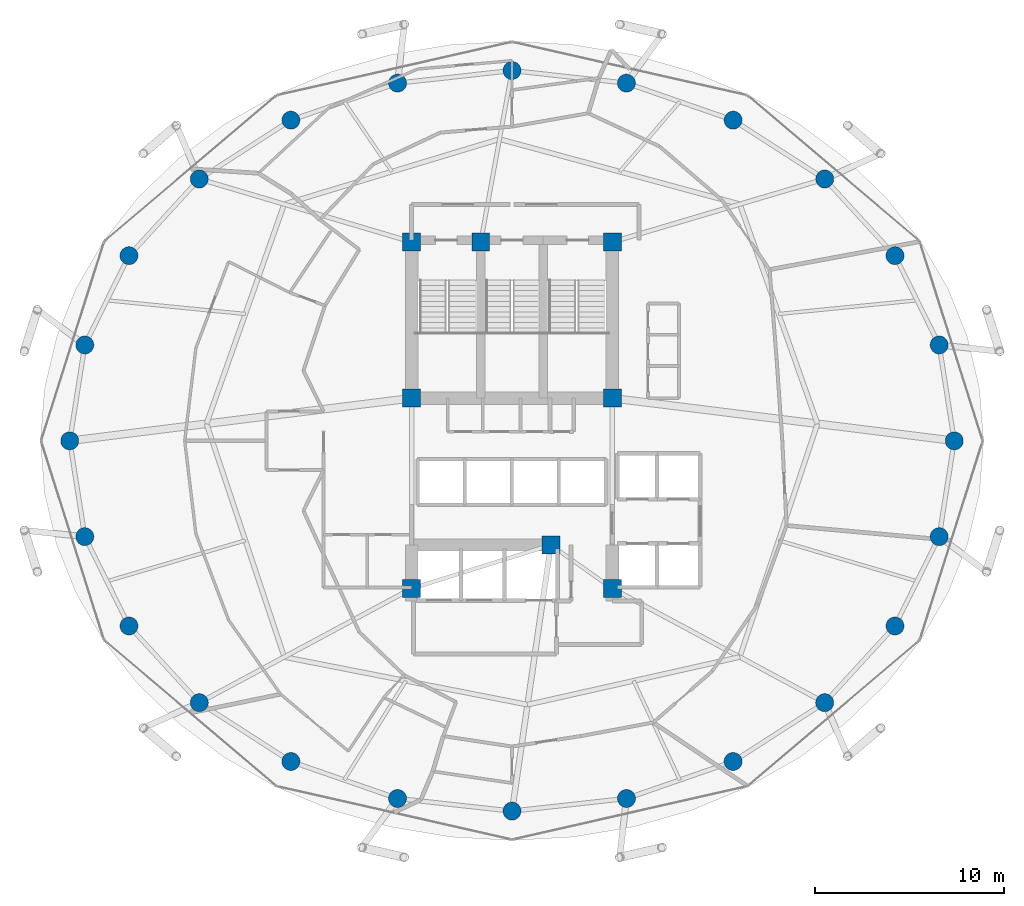
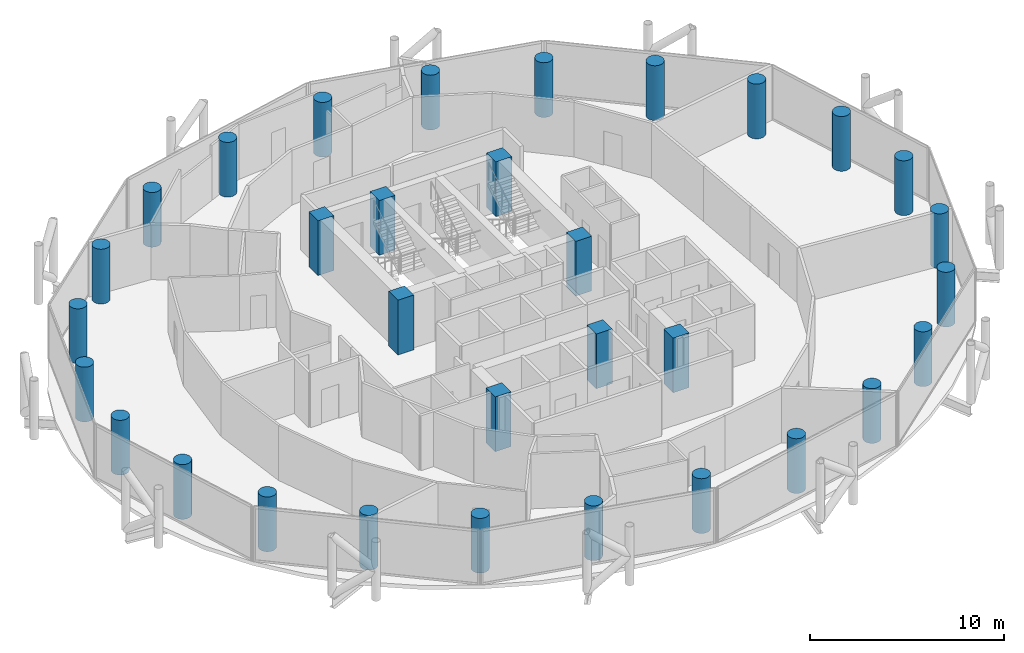
# One storey, part 1 of 26: 32 columns.
"""IFC4 building model written with IfcOpenShell, lengths in metres."""

import ifcopenshell
import ifcopenshell.guid

model = None  # the IFC model being written
_history = None  # IfcOwnerHistory: only IFC2X3 demands one
_inside = {}  # id of a spatial element -> (the spatial element, [elements in it])
_under = {}  # id of a project, library or spatial element -> (it, [spatial elements below it])
_declared = {}  # id of a project -> (the project, [libraries it declares])
_typed = {}  # id of a type object -> (the type object, [elements of that type])
_made_of = {}  # id of a material, layer set ... -> (it, [elements and type objects made of it])


def new_model(schema):
    """Start an empty IFC model of exactly this schema.

    Asked for "IFC4X3", IfcOpenShell would pick the latest addendum, in which some entities
    have other attributes; the version numbers below select the first issue.
    IFC2X3 requires an IfcOwnerHistory on every rooted entity: one is made here for all.
    """
    global model, _history
    if schema == "IFC4X3":
        model = ifcopenshell.file(schema_version=(4, 3, 0, 0))
    else:
        model = ifcopenshell.file(schema=schema)
    _inside.clear()
    _under.clear()
    _declared.clear()
    _typed.clear()
    _made_of.clear()
    _history = None
    if model.schema == "IFC2X3":
        org = make("IfcOrganization", Name="unknown")
        user = make(
            "IfcPersonAndOrganization",
            ThePerson=make("IfcPerson", FamilyName="unknown"),
            TheOrganization=org,
        )
        app = make(
            "IfcApplication",
            ApplicationDeveloper=org,
            Version="unknown",
            ApplicationFullName="unknown",
            ApplicationIdentifier="unknown",
        )
        _history = make(
            "IfcOwnerHistory",
            OwningUser=user,
            OwningApplication=app,
            ChangeAction="ADDED",
            CreationDate=0,
        )
    return model


def make(cls, **values):
    """One entity of the class cls with the attributes given. An attribute that is None is left unset."""
    return model.create_entity(
        cls, **{name: value for name, value in values.items() if value is not None}
    )


def rooted(cls, **values):
    """An entity with a GlobalId (a new one), such as an element, a storey or a relation."""
    return make(cls, GlobalId=ifcopenshell.guid.new(), OwnerHistory=_history, **values)


def si_unit(unit_type, name, prefix=None):
    """IfcSIUnit, for example si_unit("LENGTHUNIT", "METRE", prefix="MILLI")."""
    return make("IfcSIUnit", UnitType=unit_type, Prefix=prefix, Name=name)


def assignment(units):
    """IfcUnitAssignment: the units of a project."""
    return None if units is None else make("IfcUnitAssignment", Units=units)


def point(xyz):
    """IfcCartesianPoint."""
    return None if xyz is None else make("IfcCartesianPoint", Coordinates=xyz)


def direction(xyz):
    """IfcDirection."""
    return None if xyz is None else make("IfcDirection", DirectionRatios=xyz)


def frame(location, z_axis=None, x_axis=None):
    """IfcAxis2Placement3D, a coordinate frame: its origin and axes. An axis left out is left unset."""
    return make(
        "IfcAxis2Placement3D",
        Location=point(location),
        Axis=direction(z_axis),
        RefDirection=direction(x_axis),
    )


def frame_2d(location, x_axis=None):
    """IfcAxis2Placement2D, a coordinate frame in the plane: its origin and x axis."""
    return make(
        "IfcAxis2Placement2D", Location=point(location), RefDirection=direction(x_axis)
    )


def origin():
    """The frame at (0, 0, 0) with its axes left unset."""
    return frame((0.0, 0.0, 0.0))


def origin_2d():
    """The frame at (0, 0) in the plane with its x axis left unset."""
    return frame_2d((0.0, 0.0))


def place(relative_to, where):
    """IfcLocalPlacement: puts the frame where relative to a parent placement (None: the world)."""
    return make(
        "IfcLocalPlacement", PlacementRelTo=relative_to, RelativePlacement=where
    )


def context(
    kind, dimensions, precision=None, world=None, true_north=None, identifier=None
):
    """IfcGeometricRepresentationContext, for example the 3D "Model" context."""
    return make(
        "IfcGeometricRepresentationContext",
        ContextIdentifier=identifier,
        ContextType=kind,
        CoordinateSpaceDimension=dimensions,
        Precision=precision,
        WorldCoordinateSystem=world,
        TrueNorth=true_north,
    )


def subcontext(parent, identifier, kind, view, scale=None):
    """IfcGeometricRepresentationSubContext, for example "Body" below "Model"."""
    return make(
        "IfcGeometricRepresentationSubContext",
        ContextIdentifier=identifier,
        ContextType=kind,
        ParentContext=parent,
        TargetScale=scale,
        TargetView=view,
    )


def project(units=None, contexts=None):
    """IfcProject with its units and contexts."""
    return rooted(
        "IfcProject",
        Name="project",
        RepresentationContexts=contexts,
        UnitsInContext=assignment(units),
    )


def spatial(cls, under=None, at=None, **own):
    """A site, building, storey or space (cls), placed at a placement, below another one or the project."""
    s = rooted(cls, ObjectPlacement=at, **own)
    if under is not None:
        _under.setdefault(under.id(), (under, []))[1].append(s)
    return s


def profile(cls, at=None, kind="AREA", **sizes):
    """A parametric profile (cls). Its sizes go by their IFC names, for example OverallWidth=200.0."""
    return make(cls, ProfileType=kind, Position=at, **sizes)


def rectangle(**sizes):
    """IfcRectangleProfileDef."""
    return profile("IfcRectangleProfileDef", **sizes)


def circle(**sizes):
    """IfcCircleProfileDef."""
    return profile("IfcCircleProfileDef", **sizes)


def extrude(swept, where, along, depth):
    """IfcExtrudedAreaSolid: the profile swept, set in the frame where, extruded along a direction by depth."""
    return make(
        "IfcExtrudedAreaSolid",
        SweptArea=swept,
        Position=where,
        ExtrudedDirection=direction(along),
        Depth=depth,
    )


def shape(context_of_items, identifier, shape_type, items):
    """IfcShapeRepresentation: the items that make up one representation, for example the "Body"."""
    return make(
        "IfcShapeRepresentation",
        ContextOfItems=context_of_items,
        RepresentationIdentifier=identifier,
        RepresentationType=shape_type,
        Items=items,
    )


def material(Name=None, Category=None):
    """IfcMaterial."""
    return make("IfcMaterial", Name=Name, Category=Category)


def material_profile(
    of_material, cross_section, Name=None, Category=None, Priority=None
):
    """IfcMaterialProfile: a cross section and its material."""
    return make(
        "IfcMaterialProfile",
        Name=Name,
        Material=of_material,
        Profile=cross_section,
        Priority=Priority,
        Category=Category,
    )


def profile_set(profiles, Name=None, composite=None):
    """IfcMaterialProfileSet."""
    return make(
        "IfcMaterialProfileSet",
        Name=Name,
        MaterialProfiles=profiles,
        CompositeProfile=composite,
    )


def made_of(thing, what):
    """Note that an element or type object is made of a material, layer set ...; save() writes the relation."""
    if what is not None:
        _made_of.setdefault(what.id(), (what, []))[1].append(thing)
    return thing


def type_object(cls, material=None, **own):
    """A type object (cls), such as IfcWallType, which elements share."""
    return made_of(rooted(cls, **own), material)


def element(
    cls,
    number,
    at=None,
    inside=None,
    cuts=None,
    type_object=None,
    material=None,
    context=None,
    identifier="Body",
    shape_type=None,
    held_by="IfcProductDefinitionShape",
    body=None,
    shapes=None,
    **own,
):
    """One element of the class cls, such as IfcWall. Its Tag is "e" and its number.

    at: its placement. inside: the storey or other place that contains it. cuts: it is an
    opening in that element (IfcRelVoidsElement). A single representation is given by context,
    identifier, shape_type and body (its items); several are given by shapes. held_by: the class
    of the entity that holds the representations. save() writes the other relations.
    """
    e = rooted(cls, Tag="e%d" % number, ObjectPlacement=at, **own)
    if body is not None:
        shapes = [shape(context, identifier, shape_type, body)]
    if shapes is not None:
        e.Representation = make(held_by, Representations=shapes)
    if inside is not None:
        _inside.setdefault(inside.id(), (inside, []))[1].append(e)
    if cuts is not None:
        rooted(
            "IfcRelVoidsElement", RelatingBuildingElement=cuts, RelatedOpeningElement=e
        )
    if type_object is not None:
        _typed.setdefault(type_object.id(), (type_object, []))[1].append(e)
    return made_of(e, material)


def aggregate(whole, parts):
    """IfcRelAggregates: a whole, such as a stair, and the parts it consists of."""
    return rooted("IfcRelAggregates", RelatingObject=whole, RelatedObjects=parts)


def save(model, path):
    """Write the relations noted so far, then the file.

    IfcRelAggregates (storeys below a building ...), IfcRelContainedInSpatialStructure (elements
    in a storey), IfcRelDefinesByType, IfcRelAssociatesMaterial and IfcRelDeclares: one each for
    every whole, place, type object, material and project.
    """
    for whole, parts in _under.values():
        aggregate(whole, parts)
    for where, things in _inside.values():
        rooted(
            "IfcRelContainedInSpatialStructure",
            RelatedElements=things,
            RelatingStructure=where,
        )
    for kind, things in _typed.values():
        rooted("IfcRelDefinesByType", RelatedObjects=things, RelatingType=kind)
    for what, things in _made_of.values():
        rooted("IfcRelAssociatesMaterial", RelatedObjects=things, RelatingMaterial=what)
    for by, libraries in _declared.values():
        rooted("IfcRelDeclares", RelatingContext=by, RelatedDefinitions=libraries)
    model.write(path)


model = new_model("IFC4")

# Units and contexts
model_context = context("Model", 3, precision=1e-05, world=origin(), true_north=direction((0.0, 1.0)))
body_context = subcontext(model_context, "Body", "Model", "MODEL_VIEW")
ifc_project = project(units=[si_unit("LENGTHUNIT", "METRE"), si_unit("AREAUNIT", "SQUARE_METRE"), si_unit("VOLUMEUNIT", "CUBIC_METRE"), si_unit("PLANEANGLEUNIT", "RADIAN"), si_unit("MASSUNIT", "GRAM", prefix="KILO")], contexts=[model_context])

# Site, building, storey
site_placement = place(None, origin())
site = spatial("IfcSite", under=ifc_project, at=site_placement, CompositionType="ELEMENT")
building_placement = place(site_placement, origin())
building = spatial("IfcBuilding", under=site, at=building_placement, Name="Nuhasar Tower", CompositionType="ELEMENT")
storey_placement = place(building_placement, frame((0.0, 0.0, 166.35009765625)))
storey = spatial("IfcBuildingStorey", under=building, at=storey_placement, Name="L40", CompositionType="ELEMENT", Elevation=166.35009765625)

# Columns
ifc_material = material(Name="Concrete C65/80", Category="concrete")
ifc_material_profile_1 = material_profile(ifc_material, circle(Radius=0.47509765625, at=origin_2d()), Name="CFT950")
ifc_profile_set_1 = profile_set([ifc_material_profile_1], Name="Concrete C65/80")
column_type_1 = type_object("IfcColumnType", Name="COL-CFT-950", PredefinedType="COLUMN", material=ifc_profile_set_1)
for number, where, z_axis, x_axis, name in (
    (1, (62.35009765625, 26.800048828125, 0.0), (0.0, 0.0, 1.0), (1.0, 0.0, 0.0), "L40 Perimeter Composite Column TC-01"),
    (2, (61.553955078125, 31.860107421875, 0.0), (0.0, 0.0, 1.0), (1.0, 0.0, 0.0), "L40 Perimeter Composite Column TC-02"),
    (3, (59.221923828125, 36.574951171875, 0.0), (0.0, 0.0, 1.0), (1.0, 0.0, 0.0), "L40 Perimeter Composite Column TC-03"),
    (4, (55.510986328125, 40.6240234375, 0.0), (0.0, 0.0, 1.0), (1.0, 0.0, 0.0), "L40 Perimeter Composite Column TC-04"),
    (5, (50.675048828125, 43.73095703125, 0.0), (0.0, 0.0, 1.0), (1.0, 0.0, 0.0), "L40 Perimeter Composite Column TC-05"),
    (6, (45.04296875, 45.68408203125, 0.0), (0.0, 0.0, 1.0), (1.0, 0.0, 0.0), "L40 Perimeter Composite Column TC-06"),
    (7, (39.0, 46.35009765625, 0.0), (0.0, 0.0, 1.0), (1.0, 0.0, 0.0), "L40 Perimeter Composite Column TC-07"),
    (8, (32.95703125, 45.68408203125, 0.0), (0.0, 0.0, 1.0), (1.0, 0.0, 0.0), "L40 Perimeter Composite Column TC-08"),
    (9, (27.324951171875, 43.73095703125, 0.0), (0.0, 0.0, 1.0), (1.0, 0.0, 0.0), "L40 Perimeter Composite Column TC-09"),
    (10, (22.489013671875, 40.6240234375, 0.0), (0.0, 0.0, 1.0), (1.0, 0.0, 0.0), "L40 Perimeter Composite Column TC-10"),
    (11, (18.778076171875, 36.574951171875, 0.0), (0.0, 0.0, 1.0), (1.0, 0.0, 0.0), "L40 Perimeter Composite Column TC-11"),
    (12, (16.446044921875, 31.860107421875, 0.0), (0.0, 0.0, 1.0), (1.0, 0.0, 0.0), "L40 Perimeter Composite Column TC-12"),
    (13, (15.64990234375, 26.800048828125, 0.0), (0.0, 0.0, 1.0), (1.0, 0.0, 0.0), "L40 Perimeter Composite Column TC-13"),
    (14, (16.446044921875, 21.739990234375, 0.0), (0.0, 0.0, 1.0), (1.0, 0.0, 0.0), "L40 Perimeter Composite Column TC-14"),
    (15, (18.778076171875, 17.02490234375, 0.0), (0.0, 0.0, 1.0), (1.0, 0.0, 0.0), "L40 Perimeter Composite Column TC-15"),
    (16, (22.489013671875, 12.97607421875, 0.0), (0.0, 0.0, 1.0), (1.0, 0.0, 0.0), "L40 Perimeter Composite Column TC-16"),
    (17, (27.324951171875, 9.868896484375, 0.0), (0.0, 0.0, 1.0), (1.0, 0.0, 0.0), "L40 Perimeter Composite Column TC-17"),
    (18, (32.95703125, 7.916015625, 0.0), (0.0, 0.0, 1.0), (1.0, 0.0, 0.0), "L40 Perimeter Composite Column TC-18"),
    (19, (39.0, 7.25, 0.0), (0.0, 0.0, 1.0), (1.0, 0.0, 0.0), "L40 Perimeter Composite Column TC-19"),
    (20, (45.04296875, 7.916015625, 0.0), (0.0, 0.0, 1.0), (1.0, 0.0, 0.0), "L40 Perimeter Composite Column TC-20"),
    (21, (50.675048828125, 9.868896484375, 0.0), (0.0, 0.0, 1.0), (1.0, 0.0, 0.0), "L40 Perimeter Composite Column TC-21"),
    (22, (55.510986328125, 12.97607421875, 0.0), (0.0, 0.0, 1.0), (1.0, 0.0, 0.0), "L40 Perimeter Composite Column TC-22"),
    (23, (59.221923828125, 17.02490234375, 0.0), (0.0, 0.0, 1.0), (1.0, 0.0, 0.0), "L40 Perimeter Composite Column TC-23"),
    (24, (61.553955078125, 21.739990234375, 0.0), (0.0, 0.0, 1.0), (1.0, 0.0, 0.0), "L40 Perimeter Composite Column TC-24"),
):
    element("IfcColumn", number, at=place(storey_placement, frame(where, z_axis=z_axis, x_axis=x_axis)), inside=storey, type_object=column_type_1, Name=name, PredefinedType="COLUMN", context=body_context, shape_type="SweptSolid", body=[
        extrude(circle(Radius=0.47509765625, at=origin_2d()), origin(), (0.0, 0.0, 1.0), 3.449951171875),
    ])
ifc_material_profile_2 = material_profile(ifc_material, rectangle(XDim=0.949951171875, YDim=0.949951171875, at=origin_2d()), Name="RC950X950")
ifc_profile_set_2 = profile_set([ifc_material_profile_2], Name="Concrete C65/80")
column_type_2 = type_object("IfcColumnType", Name="PIL-RC-950", PredefinedType="PILASTER", material=ifc_profile_set_2)
for number, where, z_axis, x_axis, name in (
    (25, (33.699951171875, 19.0, 0.0), (0.0, 0.0, 1.0), (1.0, 0.0, 0.0), "L40 Core Boundary Pilaster CC-01"),
    (26, (41.050048828125, 21.300048828125, 0.0), (0.0, 0.0, 1.0), (1.0, 0.0, 0.0), "L40 Core Boundary Pilaster CC-02"),
    (27, (44.300048828125, 19.0, 0.0), (0.0, 0.0, 1.0), (1.0, 0.0, 0.0), "L40 Core Boundary Pilaster CC-03"),
    (28, (44.300048828125, 29.050048828125, 0.0), (0.0, 0.0, 1.0), (1.0, 0.0, 0.0), "L40 Core Boundary Pilaster CC-04"),
    (29, (44.300048828125, 37.300048828125, 0.0), (0.0, 0.0, 1.0), (1.0, 0.0, 0.0), "L40 Core Boundary Pilaster CC-05"),
    (30, (37.35009765625, 37.300048828125, 0.0), (0.0, 0.0, 1.0), (1.0, 0.0, 0.0), "L40 Core Boundary Pilaster CC-06"),
    (31, (33.699951171875, 37.300048828125, 0.0), (0.0, 0.0, 1.0), (1.0, 0.0, 0.0), "L40 Core Boundary Pilaster CC-07"),
    (32, (33.699951171875, 29.050048828125, 0.0), (0.0, 0.0, 1.0), (1.0, 0.0, 0.0), "L40 Core Boundary Pilaster CC-08"),
):
    element("IfcColumn", number, at=place(storey_placement, frame(where, z_axis=z_axis, x_axis=x_axis)), inside=storey, type_object=column_type_2, Name=name, PredefinedType="PILASTER", context=body_context, shape_type="SweptSolid", body=[
        extrude(rectangle(XDim=0.949951171875, YDim=0.949951171875, at=origin_2d()), origin(), (0.0, 0.0, 1.0), 3.449951171875),
    ])

save(model, "model.ifc")
